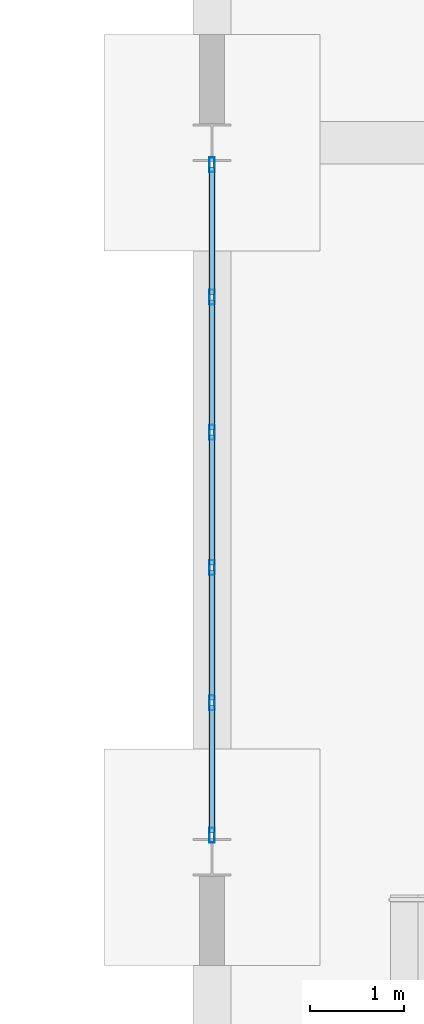
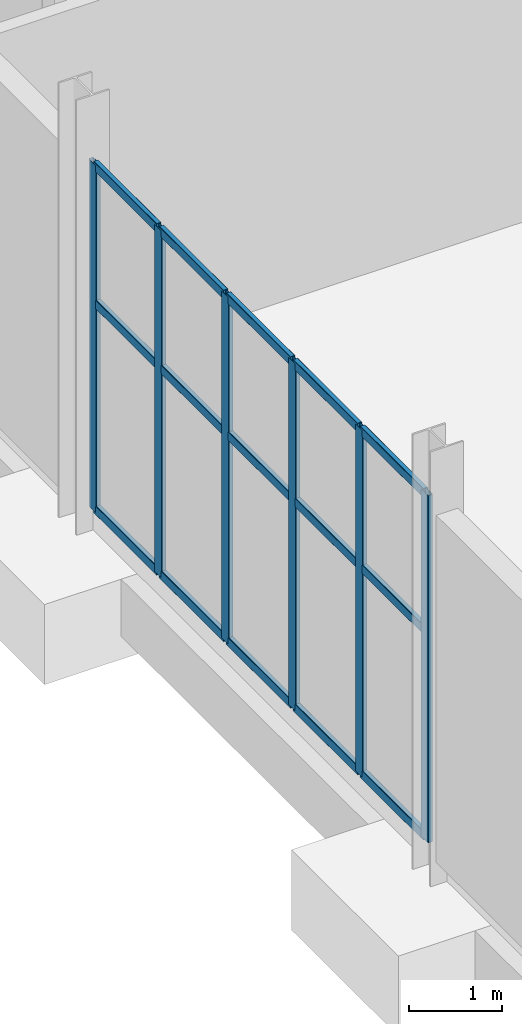
# One storey, part 48 of 95: 21 members, 1 element without a shape of its own.
"""IFC4 building model written with IfcOpenShell, lengths in metres."""

from ifc_helpers import new_model, si_unit, direction, frame, origin, origin_2d, place, context, subcontext, project, spatial, hollow_rectangle, extrude, material, material_profile, profile_set, type_object, element, aggregate, save


model = new_model("IFC4")

# Units and contexts
model_context = context("Model", 3, precision=1e-05, world=origin(), true_north=direction((0.0, 1.0)))
body_context = subcontext(model_context, "Body", "Model", "MODEL_VIEW")
ifc_project = project(units=[si_unit("LENGTHUNIT", "METRE"), si_unit("AREAUNIT", "SQUARE_METRE"), si_unit("VOLUMEUNIT", "CUBIC_METRE"), si_unit("PLANEANGLEUNIT", "RADIAN"), si_unit("MASSUNIT", "GRAM", prefix="KILO")], contexts=[model_context])

# Site, building, storey
site_placement = place(None, origin())
site = spatial("IfcSite", under=ifc_project, at=site_placement, CompositionType="ELEMENT")
building_placement = place(site_placement, origin())
building = spatial("IfcBuilding", under=site, at=building_placement, Name="Shengluoqiao Park Theatre", CompositionType="ELEMENT")
storey_placement = place(building_placement, origin())
storey = spatial("IfcBuildingStorey", under=building, at=storey_placement, Name="L00", CompositionType="ELEMENT", Elevation=0.0)

# Curtain wall, members
ifc_material = material(Name="Aluminium 6063-T6", Category="aluminium")
curtain_wall_type = type_object("IfcCurtainWallType", Name="ENV-CW-COURT", PredefinedType="NOTDEFINED", material=ifc_material)
curtain_wall_placement = place(storey_placement, origin())
curtain_wall = element("IfcCurtainWall", 1, at=curtain_wall_placement, inside=storey, type_object=curtain_wall_type, Name="L00 Curtain Wall CWX-L00-0203", PredefinedType="NOTDEFINED")
ifc_material_profile_1 = material_profile(ifc_material, hollow_rectangle(XDim=0.06005859375, YDim=0.159912109375, WallThickness=0.00390625, InnerFilletRadius=0.00390625, OuterFilletRadius=0.008056640625, at=origin_2d()), Name="ALU MULLION 160x60x4")
ifc_profile_set_1 = profile_set([ifc_material_profile_1], Name="Aluminium 6063-T6")
member_type_1 = type_object("IfcMemberType", Name="ENV-MUL-160", PredefinedType="MULLION", material=ifc_profile_set_1)
member_1_placement = place(storey_placement, frame((148.39990234375, 7.833984375, 0.0), z_axis=(0.0, 0.0, 1.0), x_axis=(-1.0, 0.0, 0.0)))
member_1 = element("IfcMember", 2, at=member_1_placement, type_object=member_type_1, Name="CW-05 mullion 1", PredefinedType="MULLION", context=body_context, shape_type="SweptSolid", body=[
    extrude(hollow_rectangle(XDim=0.06005859375, YDim=0.159912109375, WallThickness=0.00390625, InnerFilletRadius=0.00390625, OuterFilletRadius=0.008056640625, at=origin_2d()), origin(), (0.0, 0.0, 1.0), 4.550048828125),
])
member_2_placement = place(storey_placement, frame((148.39990234375, 9.242431640625, 0.0), z_axis=(0.0, 0.0, 1.0), x_axis=(-1.0, 0.0, 0.0)))
member_2 = element("IfcMember", 3, at=member_2_placement, type_object=member_type_1, Name="CW-05 mullion 2", PredefinedType="MULLION", context=body_context, shape_type="SweptSolid", body=[
    extrude(hollow_rectangle(XDim=0.06005859375, YDim=0.159912109375, WallThickness=0.00390625, InnerFilletRadius=0.00390625, OuterFilletRadius=0.008056640625, at=origin_2d()), origin(), (0.0, 0.0, 1.0), 4.550048828125),
])
member_3_placement = place(storey_placement, frame((148.39990234375, 10.680908203125, 0.0), z_axis=(0.0, 0.0, 1.0), x_axis=(-1.0, 0.0, 0.0)))
member_3 = element("IfcMember", 4, at=member_3_placement, type_object=member_type_1, Name="CW-05 mullion 3", PredefinedType="MULLION", context=body_context, shape_type="SweptSolid", body=[
    extrude(hollow_rectangle(XDim=0.06005859375, YDim=0.159912109375, WallThickness=0.00390625, InnerFilletRadius=0.00390625, OuterFilletRadius=0.008056640625, at=origin_2d()), origin(), (0.0, 0.0, 1.0), 4.550048828125),
])
member_4_placement = place(storey_placement, frame((148.39990234375, 12.119140625, 0.0), z_axis=(0.0, 0.0, 1.0), x_axis=(-1.0, 0.0, 0.0)))
member_4 = element("IfcMember", 5, at=member_4_placement, type_object=member_type_1, Name="CW-05 mullion 4", PredefinedType="MULLION", context=body_context, shape_type="SweptSolid", body=[
    extrude(hollow_rectangle(XDim=0.06005859375, YDim=0.159912109375, WallThickness=0.00390625, InnerFilletRadius=0.00390625, OuterFilletRadius=0.008056640625, at=origin_2d()), origin(), (0.0, 0.0, 1.0), 4.550048828125),
])
member_5_placement = place(storey_placement, frame((148.39990234375, 13.5576171875, 0.0), z_axis=(0.0, 0.0, 1.0), x_axis=(-1.0, 0.0, 0.0)))
member_5 = element("IfcMember", 6, at=member_5_placement, type_object=member_type_1, Name="CW-05 mullion 5", PredefinedType="MULLION", context=body_context, shape_type="SweptSolid", body=[
    extrude(hollow_rectangle(XDim=0.06005859375, YDim=0.159912109375, WallThickness=0.00390625, InnerFilletRadius=0.00390625, OuterFilletRadius=0.008056640625, at=origin_2d()), origin(), (0.0, 0.0, 1.0), 4.550048828125),
])
member_6_placement = place(storey_placement, frame((148.39990234375, 14.966064453125, 0.0), z_axis=(0.0, 0.0, 1.0), x_axis=(-1.0, 0.0, 0.0)))
member_6 = element("IfcMember", 7, at=member_6_placement, type_object=member_type_1, Name="CW-05 mullion 6", PredefinedType="MULLION", context=body_context, shape_type="SweptSolid", body=[
    extrude(hollow_rectangle(XDim=0.06005859375, YDim=0.159912109375, WallThickness=0.00390625, InnerFilletRadius=0.00390625, OuterFilletRadius=0.008056640625, at=origin_2d()), origin(), (0.0, 0.0, 1.0), 4.550048828125),
])
ifc_material_profile_2 = material_profile(ifc_material, hollow_rectangle(XDim=0.06005859375, YDim=0.1201171875, WallThickness=0.00390625, InnerFilletRadius=0.00390625, OuterFilletRadius=0.008056640625, at=origin_2d()), Name="ALU TRANSOM 120x60x4")
ifc_profile_set_2 = profile_set([ifc_material_profile_2], Name="Aluminium 6063-T6")
member_type_2 = type_object("IfcMemberType", Name="ENV-TRN-120", PredefinedType="USERDEFINED", material=ifc_profile_set_2)
member_7_placement = place(storey_placement, frame((148.39990234375, 7.864013671875, 0.030029296875), z_axis=(0.0, 1.0, 0.0), x_axis=(-1.0, 0.0, 0.0)))
member_7 = element("IfcMember", 8, at=member_7_placement, type_object=member_type_2, Name="CW-05 transom 1.1", ObjectType="TRANSOM", PredefinedType="USERDEFINED", context=body_context, shape_type="SweptSolid", body=[
    extrude(hollow_rectangle(XDim=0.06005859375, YDim=0.1201171875, WallThickness=0.00390625, InnerFilletRadius=0.00390625, OuterFilletRadius=0.008056640625, at=origin_2d()), origin(), (0.0, 0.0, 1.0), 1.348388671875),
])
member_8_placement = place(storey_placement, frame((148.39990234375, 7.864013671875, 2.72998046875), z_axis=(0.0, 1.0, 0.0), x_axis=(-1.0, 0.0, 0.0)))
member_8 = element("IfcMember", 9, at=member_8_placement, type_object=member_type_2, Name="CW-05 transom 1.2", ObjectType="TRANSOM", PredefinedType="USERDEFINED", context=body_context, shape_type="SweptSolid", body=[
    extrude(hollow_rectangle(XDim=0.06005859375, YDim=0.1201171875, WallThickness=0.00390625, InnerFilletRadius=0.00390625, OuterFilletRadius=0.008056640625, at=origin_2d()), origin(), (0.0, 0.0, 1.0), 1.348388671875),
])
member_9_placement = place(storey_placement, frame((148.39990234375, 7.864013671875, 4.52001953125), z_axis=(0.0, 1.0, 0.0), x_axis=(-1.0, 0.0, 0.0)))
member_9 = element("IfcMember", 10, at=member_9_placement, type_object=member_type_2, Name="CW-05 transom 1.3", ObjectType="TRANSOM", PredefinedType="USERDEFINED", context=body_context, shape_type="SweptSolid", body=[
    extrude(hollow_rectangle(XDim=0.06005859375, YDim=0.1201171875, WallThickness=0.00390625, InnerFilletRadius=0.00390625, OuterFilletRadius=0.008056640625, at=origin_2d()), origin(), (0.0, 0.0, 1.0), 1.348388671875),
])
member_10_placement = place(storey_placement, frame((148.39990234375, 9.2724609375, 0.030029296875), z_axis=(0.0, 1.0, 0.0), x_axis=(-1.0, 0.0, 0.0)))
member_10 = element("IfcMember", 11, at=member_10_placement, type_object=member_type_2, Name="CW-05 transom 2.1", ObjectType="TRANSOM", PredefinedType="USERDEFINED", context=body_context, shape_type="SweptSolid", body=[
    extrude(hollow_rectangle(XDim=0.06005859375, YDim=0.1201171875, WallThickness=0.00390625, InnerFilletRadius=0.00390625, OuterFilletRadius=0.008056640625, at=origin_2d()), origin(), (0.0, 0.0, 1.0), 1.37841796875),
])
member_11_placement = place(storey_placement, frame((148.39990234375, 9.2724609375, 2.72998046875), z_axis=(0.0, 1.0, 0.0), x_axis=(-1.0, 0.0, 0.0)))
member_11 = element("IfcMember", 12, at=member_11_placement, type_object=member_type_2, Name="CW-05 transom 2.2", ObjectType="TRANSOM", PredefinedType="USERDEFINED", context=body_context, shape_type="SweptSolid", body=[
    extrude(hollow_rectangle(XDim=0.06005859375, YDim=0.1201171875, WallThickness=0.00390625, InnerFilletRadius=0.00390625, OuterFilletRadius=0.008056640625, at=origin_2d()), origin(), (0.0, 0.0, 1.0), 1.37841796875),
])
member_12_placement = place(storey_placement, frame((148.39990234375, 9.2724609375, 4.52001953125), z_axis=(0.0, 1.0, 0.0), x_axis=(-1.0, 0.0, 0.0)))
member_12 = element("IfcMember", 13, at=member_12_placement, type_object=member_type_2, Name="CW-05 transom 2.3", ObjectType="TRANSOM", PredefinedType="USERDEFINED", context=body_context, shape_type="SweptSolid", body=[
    extrude(hollow_rectangle(XDim=0.06005859375, YDim=0.1201171875, WallThickness=0.00390625, InnerFilletRadius=0.00390625, OuterFilletRadius=0.008056640625, at=origin_2d()), origin(), (0.0, 0.0, 1.0), 1.37841796875),
])
member_13_placement = place(storey_placement, frame((148.39990234375, 10.710693359375, 0.030029296875), z_axis=(0.0, 1.0, 0.0), x_axis=(-1.0, 0.0, 0.0)))
member_13 = element("IfcMember", 14, at=member_13_placement, type_object=member_type_2, Name="CW-05 transom 3.1", ObjectType="TRANSOM", PredefinedType="USERDEFINED", context=body_context, shape_type="SweptSolid", body=[
    extrude(hollow_rectangle(XDim=0.06005859375, YDim=0.1201171875, WallThickness=0.00390625, InnerFilletRadius=0.00390625, OuterFilletRadius=0.008056640625, at=origin_2d()), origin(), (0.0, 0.0, 1.0), 1.37841796875),
])
member_14_placement = place(storey_placement, frame((148.39990234375, 10.710693359375, 2.72998046875), z_axis=(0.0, 1.0, 0.0), x_axis=(-1.0, 0.0, 0.0)))
member_14 = element("IfcMember", 15, at=member_14_placement, type_object=member_type_2, Name="CW-05 transom 3.2", ObjectType="TRANSOM", PredefinedType="USERDEFINED", context=body_context, shape_type="SweptSolid", body=[
    extrude(hollow_rectangle(XDim=0.06005859375, YDim=0.1201171875, WallThickness=0.00390625, InnerFilletRadius=0.00390625, OuterFilletRadius=0.008056640625, at=origin_2d()), origin(), (0.0, 0.0, 1.0), 1.37841796875),
])
member_15_placement = place(storey_placement, frame((148.39990234375, 10.710693359375, 4.52001953125), z_axis=(0.0, 1.0, 0.0), x_axis=(-1.0, 0.0, 0.0)))
member_15 = element("IfcMember", 16, at=member_15_placement, type_object=member_type_2, Name="CW-05 transom 3.3", ObjectType="TRANSOM", PredefinedType="USERDEFINED", context=body_context, shape_type="SweptSolid", body=[
    extrude(hollow_rectangle(XDim=0.06005859375, YDim=0.1201171875, WallThickness=0.00390625, InnerFilletRadius=0.00390625, OuterFilletRadius=0.008056640625, at=origin_2d()), origin(), (0.0, 0.0, 1.0), 1.37841796875),
])
member_16_placement = place(storey_placement, frame((148.39990234375, 12.149169921875, 0.030029296875), z_axis=(0.0, 1.0, 0.0), x_axis=(-1.0, 0.0, 0.0)))
member_16 = element("IfcMember", 17, at=member_16_placement, type_object=member_type_2, Name="CW-05 transom 4.1", ObjectType="TRANSOM", PredefinedType="USERDEFINED", context=body_context, shape_type="SweptSolid", body=[
    extrude(hollow_rectangle(XDim=0.06005859375, YDim=0.1201171875, WallThickness=0.00390625, InnerFilletRadius=0.00390625, OuterFilletRadius=0.008056640625, at=origin_2d()), origin(), (0.0, 0.0, 1.0), 1.37841796875),
])
member_17_placement = place(storey_placement, frame((148.39990234375, 12.149169921875, 2.72998046875), z_axis=(0.0, 1.0, 0.0), x_axis=(-1.0, 0.0, 0.0)))
member_17 = element("IfcMember", 18, at=member_17_placement, type_object=member_type_2, Name="CW-05 transom 4.2", ObjectType="TRANSOM", PredefinedType="USERDEFINED", context=body_context, shape_type="SweptSolid", body=[
    extrude(hollow_rectangle(XDim=0.06005859375, YDim=0.1201171875, WallThickness=0.00390625, InnerFilletRadius=0.00390625, OuterFilletRadius=0.008056640625, at=origin_2d()), origin(), (0.0, 0.0, 1.0), 1.37841796875),
])
member_18_placement = place(storey_placement, frame((148.39990234375, 12.149169921875, 4.52001953125), z_axis=(0.0, 1.0, 0.0), x_axis=(-1.0, 0.0, 0.0)))
member_18 = element("IfcMember", 19, at=member_18_placement, type_object=member_type_2, Name="CW-05 transom 4.3", ObjectType="TRANSOM", PredefinedType="USERDEFINED", context=body_context, shape_type="SweptSolid", body=[
    extrude(hollow_rectangle(XDim=0.06005859375, YDim=0.1201171875, WallThickness=0.00390625, InnerFilletRadius=0.00390625, OuterFilletRadius=0.008056640625, at=origin_2d()), origin(), (0.0, 0.0, 1.0), 1.37841796875),
])
member_19_placement = place(storey_placement, frame((148.39990234375, 13.587646484375, 0.030029296875), z_axis=(0.0, 1.0, 0.0), x_axis=(-1.0, 0.0, 0.0)))
member_19 = element("IfcMember", 20, at=member_19_placement, type_object=member_type_2, Name="CW-05 transom 5.1", ObjectType="TRANSOM", PredefinedType="USERDEFINED", context=body_context, shape_type="SweptSolid", body=[
    extrude(hollow_rectangle(XDim=0.06005859375, YDim=0.1201171875, WallThickness=0.00390625, InnerFilletRadius=0.00390625, OuterFilletRadius=0.008056640625, at=origin_2d()), origin(), (0.0, 0.0, 1.0), 1.348388671875),
])
member_20_placement = place(storey_placement, frame((148.39990234375, 13.587646484375, 2.72998046875), z_axis=(0.0, 1.0, 0.0), x_axis=(-1.0, 0.0, 0.0)))
member_20 = element("IfcMember", 21, at=member_20_placement, type_object=member_type_2, Name="CW-05 transom 5.2", ObjectType="TRANSOM", PredefinedType="USERDEFINED", context=body_context, shape_type="SweptSolid", body=[
    extrude(hollow_rectangle(XDim=0.06005859375, YDim=0.1201171875, WallThickness=0.00390625, InnerFilletRadius=0.00390625, OuterFilletRadius=0.008056640625, at=origin_2d()), origin(), (0.0, 0.0, 1.0), 1.348388671875),
])
member_21_placement = place(storey_placement, frame((148.39990234375, 13.587646484375, 4.52001953125), z_axis=(0.0, 1.0, 0.0), x_axis=(-1.0, 0.0, 0.0)))
member_21 = element("IfcMember", 22, at=member_21_placement, type_object=member_type_2, Name="CW-05 transom 5.3", ObjectType="TRANSOM", PredefinedType="USERDEFINED", context=body_context, shape_type="SweptSolid", body=[
    extrude(hollow_rectangle(XDim=0.06005859375, YDim=0.1201171875, WallThickness=0.00390625, InnerFilletRadius=0.00390625, OuterFilletRadius=0.008056640625, at=origin_2d()), origin(), (0.0, 0.0, 1.0), 1.348388671875),
])
aggregate(curtain_wall, [member_1, member_2, member_3, member_4, member_5, member_6, member_7, member_8, member_9, member_10, member_11, member_12, member_13, member_14, member_15, member_16, member_17, member_18, member_19, member_20, member_21])

save(model, "model.ifc")
